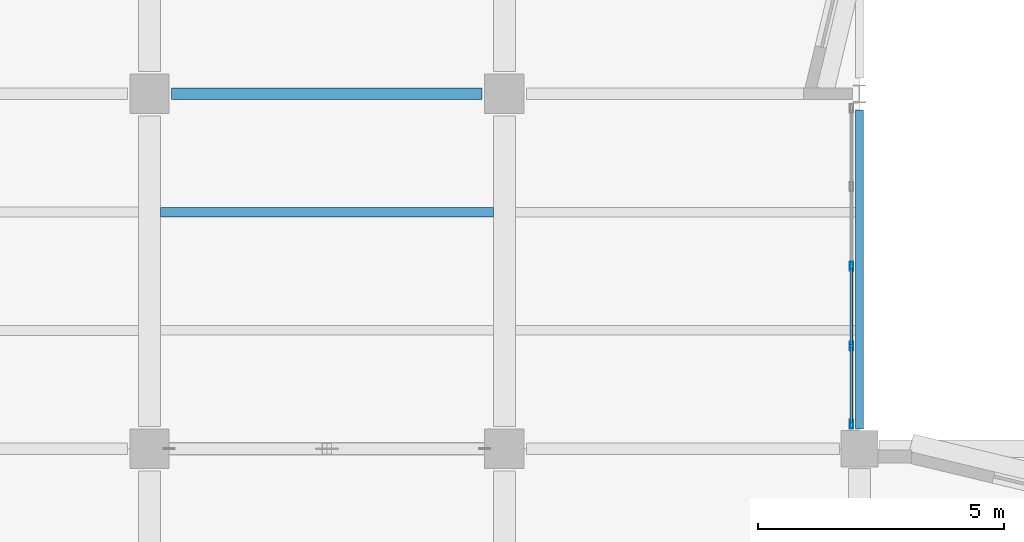
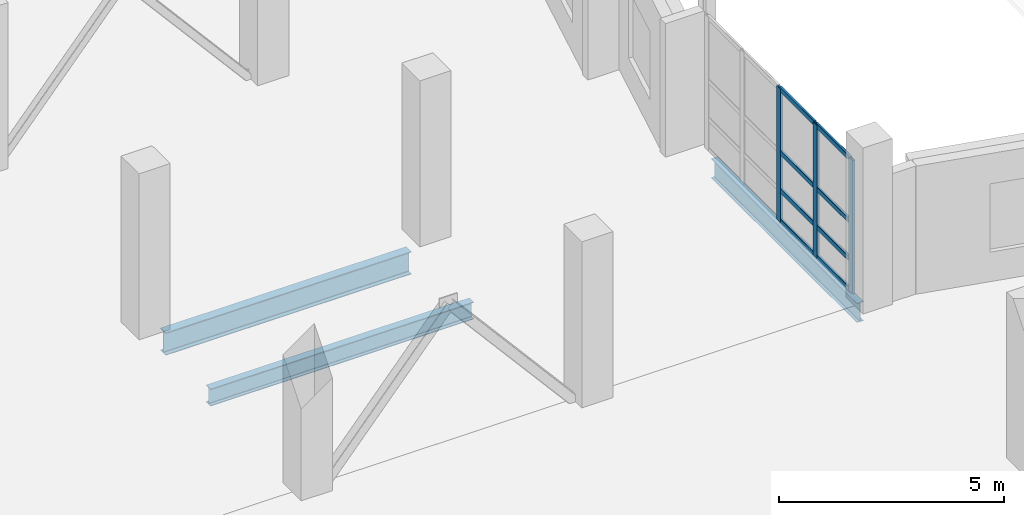
# One storey, part 28 of 123: 11 members, 3 beams, 1 element without a shape of its own.
"""IFC4 building model written with IfcOpenShell, lengths in metres."""

import ifcopenshell
import ifcopenshell.guid

model = None  # the IFC model being written
_history = None  # IfcOwnerHistory: only IFC2X3 demands one
_inside = {}  # id of a spatial element -> (the spatial element, [elements in it])
_under = {}  # id of a project, library or spatial element -> (it, [spatial elements below it])
_declared = {}  # id of a project -> (the project, [libraries it declares])
_typed = {}  # id of a type object -> (the type object, [elements of that type])
_made_of = {}  # id of a material, layer set ... -> (it, [elements and type objects made of it])


def new_model(schema):
    """Start an empty IFC model of exactly this schema.

    Asked for "IFC4X3", IfcOpenShell would pick the latest addendum, in which some entities
    have other attributes; the version numbers below select the first issue.
    IFC2X3 requires an IfcOwnerHistory on every rooted entity: one is made here for all.
    """
    global model, _history
    if schema == "IFC4X3":
        model = ifcopenshell.file(schema_version=(4, 3, 0, 0))
    else:
        model = ifcopenshell.file(schema=schema)
    _inside.clear()
    _under.clear()
    _declared.clear()
    _typed.clear()
    _made_of.clear()
    _history = None
    if model.schema == "IFC2X3":
        org = make("IfcOrganization", Name="unknown")
        user = make(
            "IfcPersonAndOrganization",
            ThePerson=make("IfcPerson", FamilyName="unknown"),
            TheOrganization=org,
        )
        app = make(
            "IfcApplication",
            ApplicationDeveloper=org,
            Version="unknown",
            ApplicationFullName="unknown",
            ApplicationIdentifier="unknown",
        )
        _history = make(
            "IfcOwnerHistory",
            OwningUser=user,
            OwningApplication=app,
            ChangeAction="ADDED",
            CreationDate=0,
        )
    return model


def make(cls, **values):
    """One entity of the class cls with the attributes given. An attribute that is None is left unset."""
    return model.create_entity(
        cls, **{name: value for name, value in values.items() if value is not None}
    )


def rooted(cls, **values):
    """An entity with a GlobalId (a new one), such as an element, a storey or a relation."""
    return make(cls, GlobalId=ifcopenshell.guid.new(), OwnerHistory=_history, **values)


def si_unit(unit_type, name, prefix=None):
    """IfcSIUnit, for example si_unit("LENGTHUNIT", "METRE", prefix="MILLI")."""
    return make("IfcSIUnit", UnitType=unit_type, Prefix=prefix, Name=name)


def assignment(units):
    """IfcUnitAssignment: the units of a project."""
    return None if units is None else make("IfcUnitAssignment", Units=units)


def point(xyz):
    """IfcCartesianPoint."""
    return None if xyz is None else make("IfcCartesianPoint", Coordinates=xyz)


def direction(xyz):
    """IfcDirection."""
    return None if xyz is None else make("IfcDirection", DirectionRatios=xyz)


def frame(location, z_axis=None, x_axis=None):
    """IfcAxis2Placement3D, a coordinate frame: its origin and axes. An axis left out is left unset."""
    return make(
        "IfcAxis2Placement3D",
        Location=point(location),
        Axis=direction(z_axis),
        RefDirection=direction(x_axis),
    )


def frame_2d(location, x_axis=None):
    """IfcAxis2Placement2D, a coordinate frame in the plane: its origin and x axis."""
    return make(
        "IfcAxis2Placement2D", Location=point(location), RefDirection=direction(x_axis)
    )


def origin():
    """The frame at (0, 0, 0) with its axes left unset."""
    return frame((0.0, 0.0, 0.0))


def origin_2d():
    """The frame at (0, 0) in the plane with its x axis left unset."""
    return frame_2d((0.0, 0.0))


def place(relative_to, where):
    """IfcLocalPlacement: puts the frame where relative to a parent placement (None: the world)."""
    return make(
        "IfcLocalPlacement", PlacementRelTo=relative_to, RelativePlacement=where
    )


def context(
    kind, dimensions, precision=None, world=None, true_north=None, identifier=None
):
    """IfcGeometricRepresentationContext, for example the 3D "Model" context."""
    return make(
        "IfcGeometricRepresentationContext",
        ContextIdentifier=identifier,
        ContextType=kind,
        CoordinateSpaceDimension=dimensions,
        Precision=precision,
        WorldCoordinateSystem=world,
        TrueNorth=true_north,
    )


def subcontext(parent, identifier, kind, view, scale=None):
    """IfcGeometricRepresentationSubContext, for example "Body" below "Model"."""
    return make(
        "IfcGeometricRepresentationSubContext",
        ContextIdentifier=identifier,
        ContextType=kind,
        ParentContext=parent,
        TargetScale=scale,
        TargetView=view,
    )


def project(units=None, contexts=None):
    """IfcProject with its units and contexts."""
    return rooted(
        "IfcProject",
        Name="project",
        RepresentationContexts=contexts,
        UnitsInContext=assignment(units),
    )


def spatial(cls, under=None, at=None, **own):
    """A site, building, storey or space (cls), placed at a placement, below another one or the project."""
    s = rooted(cls, ObjectPlacement=at, **own)
    if under is not None:
        _under.setdefault(under.id(), (under, []))[1].append(s)
    return s


def profile(cls, at=None, kind="AREA", **sizes):
    """A parametric profile (cls). Its sizes go by their IFC names, for example OverallWidth=200.0."""
    return make(cls, ProfileType=kind, Position=at, **sizes)


def hollow_rectangle(**sizes):
    """IfcRectangleHollowProfileDef."""
    return profile("IfcRectangleHollowProfileDef", **sizes)


def i_section(**sizes):
    """IfcIShapeProfileDef."""
    return profile("IfcIShapeProfileDef", **sizes)


def extrude(swept, where, along, depth):
    """IfcExtrudedAreaSolid: the profile swept, set in the frame where, extruded along a direction by depth."""
    return make(
        "IfcExtrudedAreaSolid",
        SweptArea=swept,
        Position=where,
        ExtrudedDirection=direction(along),
        Depth=depth,
    )


def shape(context_of_items, identifier, shape_type, items):
    """IfcShapeRepresentation: the items that make up one representation, for example the "Body"."""
    return make(
        "IfcShapeRepresentation",
        ContextOfItems=context_of_items,
        RepresentationIdentifier=identifier,
        RepresentationType=shape_type,
        Items=items,
    )


def material(Name=None, Category=None):
    """IfcMaterial."""
    return make("IfcMaterial", Name=Name, Category=Category)


def material_profile(
    of_material, cross_section, Name=None, Category=None, Priority=None
):
    """IfcMaterialProfile: a cross section and its material."""
    return make(
        "IfcMaterialProfile",
        Name=Name,
        Material=of_material,
        Profile=cross_section,
        Priority=Priority,
        Category=Category,
    )


def profile_set(profiles, Name=None, composite=None):
    """IfcMaterialProfileSet."""
    return make(
        "IfcMaterialProfileSet",
        Name=Name,
        MaterialProfiles=profiles,
        CompositeProfile=composite,
    )


def made_of(thing, what):
    """Note that an element or type object is made of a material, layer set ...; save() writes the relation."""
    if what is not None:
        _made_of.setdefault(what.id(), (what, []))[1].append(thing)
    return thing


def type_object(cls, material=None, **own):
    """A type object (cls), such as IfcWallType, which elements share."""
    return made_of(rooted(cls, **own), material)


def element(
    cls,
    number,
    at=None,
    inside=None,
    cuts=None,
    type_object=None,
    material=None,
    context=None,
    identifier="Body",
    shape_type=None,
    held_by="IfcProductDefinitionShape",
    body=None,
    shapes=None,
    **own,
):
    """One element of the class cls, such as IfcWall. Its Tag is "e" and its number.

    at: its placement. inside: the storey or other place that contains it. cuts: it is an
    opening in that element (IfcRelVoidsElement). A single representation is given by context,
    identifier, shape_type and body (its items); several are given by shapes. held_by: the class
    of the entity that holds the representations. save() writes the other relations.
    """
    e = rooted(cls, Tag="e%d" % number, ObjectPlacement=at, **own)
    if body is not None:
        shapes = [shape(context, identifier, shape_type, body)]
    if shapes is not None:
        e.Representation = make(held_by, Representations=shapes)
    if inside is not None:
        _inside.setdefault(inside.id(), (inside, []))[1].append(e)
    if cuts is not None:
        rooted(
            "IfcRelVoidsElement", RelatingBuildingElement=cuts, RelatedOpeningElement=e
        )
    if type_object is not None:
        _typed.setdefault(type_object.id(), (type_object, []))[1].append(e)
    return made_of(e, material)


def aggregate(whole, parts):
    """IfcRelAggregates: a whole, such as a stair, and the parts it consists of."""
    return rooted("IfcRelAggregates", RelatingObject=whole, RelatedObjects=parts)


def save(model, path):
    """Write the relations noted so far, then the file.

    IfcRelAggregates (storeys below a building ...), IfcRelContainedInSpatialStructure (elements
    in a storey), IfcRelDefinesByType, IfcRelAssociatesMaterial and IfcRelDeclares: one each for
    every whole, place, type object, material and project.
    """
    for whole, parts in _under.values():
        aggregate(whole, parts)
    for where, things in _inside.values():
        rooted(
            "IfcRelContainedInSpatialStructure",
            RelatedElements=things,
            RelatingStructure=where,
        )
    for kind, things in _typed.values():
        rooted("IfcRelDefinesByType", RelatedObjects=things, RelatingType=kind)
    for what, things in _made_of.values():
        rooted("IfcRelAssociatesMaterial", RelatedObjects=things, RelatingMaterial=what)
    for by, libraries in _declared.values():
        rooted("IfcRelDeclares", RelatingContext=by, RelatedDefinitions=libraries)
    model.write(path)


model = new_model("IFC4")

# Units and contexts
model_context = context("Model", 3, precision=1e-05, world=origin(), true_north=direction((0.0, 1.0)))
body_context = subcontext(model_context, "Body", "Model", "MODEL_VIEW")
ifc_project = project(units=[si_unit("LENGTHUNIT", "METRE"), si_unit("AREAUNIT", "SQUARE_METRE"), si_unit("VOLUMEUNIT", "CUBIC_METRE"), si_unit("PLANEANGLEUNIT", "RADIAN"), si_unit("MASSUNIT", "GRAM", prefix="KILO")], contexts=[model_context])

# Site, building, storey
site_placement = place(None, origin())
site = spatial("IfcSite", under=ifc_project, at=site_placement, CompositionType="ELEMENT")
building_placement = place(site_placement, origin())
building = spatial("IfcBuilding", under=site, at=building_placement, Name="Kalmorath City Hall", CompositionType="ELEMENT")
storey_placement = place(building_placement, frame((0.0, 0.0, 10.199951171875)))
storey = spatial("IfcBuildingStorey", under=building, at=storey_placement, Name="L02", CompositionType="ELEMENT", Elevation=10.199951171875)

# Curtain wall, members
ifc_material_1 = material(Name="Anodised aluminium and laminated glass", Category="aluminium")
curtain_wall_type = type_object("IfcCurtainWallType", Name="Unitised hurricane curtain wall 6468x3618 M1450", PredefinedType="NOTDEFINED", material=ifc_material_1)
curtain_wall_placement = place(storey_placement, origin())
curtain_wall = element("IfcCurtainWall", 1, at=curtain_wall_placement, inside=storey, type_object=curtain_wall_type, Name="L02 curtain wall CW-65X36M14 #142", PredefinedType="NOTDEFINED")
ifc_material_2 = material(Name="Anodised aluminium framing", Category="aluminium")
ifc_material_profile_1 = material_profile(ifc_material_2, hollow_rectangle(XDim=0.06494140625, YDim=0.179931640625, WallThickness=0.00390625, InnerFilletRadius=0.00390625, OuterFilletRadius=0.008056640625, at=origin_2d()), Name="ALU-MUL-180X65X4")
ifc_profile_set_1 = profile_set([ifc_material_profile_1], Name="Anodised aluminium framing")
member_type_1 = type_object("IfcMemberType", Name="Curtain-wall courtyard mullion 180x65", PredefinedType="MULLION", material=ifc_profile_set_1)
member_1_placement = place(storey_placement, frame((28.639892578125, 39.69921875, 0.0), z_axis=(0.0, 0.0, 1.0), x_axis=(1.0, 0.0, 0.0)))
member_1 = element("IfcMember", 2, at=member_1_placement, type_object=member_type_1, Name="CW-65X36M14 mullion 3", PredefinedType="MULLION", context=body_context, shape_type="SweptSolid", body=[
    extrude(hollow_rectangle(XDim=0.06494140625, YDim=0.179931640625, WallThickness=0.00390625, InnerFilletRadius=0.00390625, OuterFilletRadius=0.008056640625, at=origin_2d()), origin(), (0.0, 0.0, 1.0), 3.6181640625),
])
member_2_placement = place(storey_placement, frame((28.639892578125, 38.08203125, 0.0), z_axis=(0.0, 0.0, 1.0), x_axis=(1.0, 0.0, 0.0)))
member_2 = element("IfcMember", 3, at=member_2_placement, type_object=member_type_1, Name="CW-65X36M14 mullion 4", PredefinedType="MULLION", context=body_context, shape_type="SweptSolid", body=[
    extrude(hollow_rectangle(XDim=0.06494140625, YDim=0.179931640625, WallThickness=0.00390625, InnerFilletRadius=0.00390625, OuterFilletRadius=0.008056640625, at=origin_2d()), origin(), (0.0, 0.0, 1.0), 3.6181640625),
])
member_3_placement = place(storey_placement, frame((28.639892578125, 36.49755859375, 0.0), z_axis=(0.0, 0.0, 1.0), x_axis=(1.0, 0.0, 0.0)))
member_3 = element("IfcMember", 4, at=member_3_placement, type_object=member_type_1, Name="CW-65X36M14 mullion 5", PredefinedType="MULLION", context=body_context, shape_type="SweptSolid", body=[
    extrude(hollow_rectangle(XDim=0.06494140625, YDim=0.179931640625, WallThickness=0.00390625, InnerFilletRadius=0.00390625, OuterFilletRadius=0.008056640625, at=origin_2d()), origin(), (0.0, 0.0, 1.0), 3.6181640625),
])
ifc_material_3 = material(Name="Anodised aluminium framing", Category="aluminium")
ifc_material_profile_2 = material_profile(ifc_material_3, hollow_rectangle(XDim=0.06005859375, YDim=0.1298828125, WallThickness=0.00341796875, InnerFilletRadius=0.00341796875, OuterFilletRadius=0.007080078125, at=origin_2d()), Name="ALU-TRN-130X60X3.5")
ifc_profile_set_2 = profile_set([ifc_material_profile_2], Name="Anodised aluminium framing")
member_type_2 = type_object("IfcMemberType", Name="Curtain-wall courtyard transom 130x60", PredefinedType="USERDEFINED", material=ifc_profile_set_2)
member_4_placement = place(storey_placement, frame((28.639892578125, 39.666748046875, 0.030029296875), z_axis=(0.0, -1.0, 0.0), x_axis=(1.0, 0.0, 0.0)))
member_4 = element("IfcMember", 5, at=member_4_placement, type_object=member_type_2, Name="CW-65X36M14 transom 3.1", ObjectType="TRANSOM", PredefinedType="USERDEFINED", context=body_context, shape_type="SweptSolid", body=[
    extrude(hollow_rectangle(XDim=0.06005859375, YDim=0.1298828125, WallThickness=0.00341796875, InnerFilletRadius=0.00341796875, OuterFilletRadius=0.007080078125, at=origin_2d()), origin(), (0.0, 0.0, 1.0), 1.552001953125),
])
member_5_placement = place(storey_placement, frame((28.639892578125, 39.666748046875, 0.85009765625), z_axis=(0.0, -1.0, 0.0), x_axis=(1.0, 0.0, 0.0)))
member_5 = element("IfcMember", 6, at=member_5_placement, type_object=member_type_2, Name="CW-65X36M14 transom 3.2", ObjectType="TRANSOM", PredefinedType="USERDEFINED", context=body_context, shape_type="SweptSolid", body=[
    extrude(hollow_rectangle(XDim=0.06005859375, YDim=0.1298828125, WallThickness=0.00341796875, InnerFilletRadius=0.00341796875, OuterFilletRadius=0.007080078125, at=origin_2d()), origin(), (0.0, 0.0, 1.0), 1.552001953125),
])
member_6_placement = place(storey_placement, frame((28.639892578125, 39.666748046875, 1.881103515625), z_axis=(0.0, -1.0, 0.0), x_axis=(1.0, 0.0, 0.0)))
member_6 = element("IfcMember", 7, at=member_6_placement, type_object=member_type_2, Name="CW-65X36M14 transom 3.3", ObjectType="TRANSOM", PredefinedType="USERDEFINED", context=body_context, shape_type="SweptSolid", body=[
    extrude(hollow_rectangle(XDim=0.06005859375, YDim=0.1298828125, WallThickness=0.00341796875, InnerFilletRadius=0.00341796875, OuterFilletRadius=0.007080078125, at=origin_2d()), origin(), (0.0, 0.0, 1.0), 1.552001953125),
])
member_7_placement = place(storey_placement, frame((28.639892578125, 39.666748046875, 3.588134765625), z_axis=(0.0, -1.0, 0.0), x_axis=(1.0, 0.0, 0.0)))
member_7 = element("IfcMember", 8, at=member_7_placement, type_object=member_type_2, Name="CW-65X36M14 transom 3.4", ObjectType="TRANSOM", PredefinedType="USERDEFINED", context=body_context, shape_type="SweptSolid", body=[
    extrude(hollow_rectangle(XDim=0.06005859375, YDim=0.1298828125, WallThickness=0.00341796875, InnerFilletRadius=0.00341796875, OuterFilletRadius=0.007080078125, at=origin_2d()), origin(), (0.0, 0.0, 1.0), 1.552001953125),
])
member_8_placement = place(storey_placement, frame((28.639892578125, 38.049560546875, 0.030029296875), z_axis=(0.0, -1.0, 0.0), x_axis=(1.0, 0.0, 0.0)))
member_8 = element("IfcMember", 9, at=member_8_placement, type_object=member_type_2, Name="CW-65X36M14 transom 4.1", ObjectType="TRANSOM", PredefinedType="USERDEFINED", context=body_context, shape_type="SweptSolid", body=[
    extrude(hollow_rectangle(XDim=0.06005859375, YDim=0.1298828125, WallThickness=0.00341796875, InnerFilletRadius=0.00341796875, OuterFilletRadius=0.007080078125, at=origin_2d()), origin(), (0.0, 0.0, 1.0), 1.51953125),
])
member_9_placement = place(storey_placement, frame((28.639892578125, 38.049560546875, 0.85009765625), z_axis=(0.0, -1.0, 0.0), x_axis=(1.0, 0.0, 0.0)))
member_9 = element("IfcMember", 10, at=member_9_placement, type_object=member_type_2, Name="CW-65X36M14 transom 4.2", ObjectType="TRANSOM", PredefinedType="USERDEFINED", context=body_context, shape_type="SweptSolid", body=[
    extrude(hollow_rectangle(XDim=0.06005859375, YDim=0.1298828125, WallThickness=0.00341796875, InnerFilletRadius=0.00341796875, OuterFilletRadius=0.007080078125, at=origin_2d()), origin(), (0.0, 0.0, 1.0), 1.51953125),
])
member_10_placement = place(storey_placement, frame((28.639892578125, 38.049560546875, 1.881103515625), z_axis=(0.0, -1.0, 0.0), x_axis=(1.0, 0.0, 0.0)))
member_10 = element("IfcMember", 11, at=member_10_placement, type_object=member_type_2, Name="CW-65X36M14 transom 4.3", ObjectType="TRANSOM", PredefinedType="USERDEFINED", context=body_context, shape_type="SweptSolid", body=[
    extrude(hollow_rectangle(XDim=0.06005859375, YDim=0.1298828125, WallThickness=0.00341796875, InnerFilletRadius=0.00341796875, OuterFilletRadius=0.007080078125, at=origin_2d()), origin(), (0.0, 0.0, 1.0), 1.51953125),
])
member_11_placement = place(storey_placement, frame((28.639892578125, 38.049560546875, 3.588134765625), z_axis=(0.0, -1.0, 0.0), x_axis=(1.0, 0.0, 0.0)))
member_11 = element("IfcMember", 12, at=member_11_placement, type_object=member_type_2, Name="CW-65X36M14 transom 4.4", ObjectType="TRANSOM", PredefinedType="USERDEFINED", context=body_context, shape_type="SweptSolid", body=[
    extrude(hollow_rectangle(XDim=0.06005859375, YDim=0.1298828125, WallThickness=0.00341796875, InnerFilletRadius=0.00341796875, OuterFilletRadius=0.007080078125, at=origin_2d()), origin(), (0.0, 0.0, 1.0), 1.51953125),
])
aggregate(curtain_wall, [member_1, member_2, member_3, member_4, member_5, member_6, member_7, member_8, member_9, member_10, member_11])

# Beams
ifc_material_4 = material(Name="Steel ASTM A992 Grade 50", Category="steel")
ifc_material_profile_3 = material_profile(ifc_material_4, i_section(OverallWidth=0.193115234375, OverallDepth=0.466064453125, WebThickness=0.011474609375, FlangeThickness=0.01904296875, FilletRadius=0.013916015625, at=origin_2d()), Name="W18X65")
ifc_profile_set_3 = profile_set([ifc_material_profile_3], Name="Steel ASTM A992 Grade 50")
beam_type_1 = type_object("IfcBeamType", Name="Steel composite joist W18X65", PredefinedType="JOIST", material=ifc_profile_set_3)
beam_1_placement = place(storey_placement, frame((14.625, 40.800048828125, -0.516845703125), z_axis=(1.0, 0.0, 0.0), x_axis=(0.0, 1.0, 0.0)))
element("IfcBeam", 13, at=beam_1_placement, inside=storey, type_object=beam_type_1, Name="L02 joist SJ1 3.6.2", PredefinedType="JOIST", context=body_context, shape_type="SweptSolid", body=[
    extrude(i_section(OverallWidth=0.193115234375, OverallDepth=0.466064453125, WebThickness=0.011474609375, FlangeThickness=0.01904296875, FilletRadius=0.013916015625, at=origin_2d()), origin(), (0.0, 0.0, 1.0), 6.75),
])
ifc_material_5 = material(Name="Steel ASTM A992 Grade 50", Category="steel")
ifc_material_profile_4 = material_profile(ifc_material_5, i_section(OverallWidth=0.22900390625, OverallDepth=0.612060546875, WebThickness=0.011962890625, FlangeThickness=0.01953125, FilletRadius=0.01611328125, at=origin_2d()), Name="W24X84")
ifc_profile_set_4 = profile_set([ifc_material_profile_4], Name="Steel ASTM A992 Grade 50")
beam_type_2 = type_object("IfcBeamType", Name="Steel floor girder W24X84", PredefinedType="BEAM", material=ifc_profile_set_4)
beam_2_placement = place(storey_placement, frame((14.85009765625, 43.199951171875, -0.58984375), z_axis=(1.0, 0.0, 0.0), x_axis=(0.0, 1.0, 0.0)))
element("IfcBeam", 14, at=beam_2_placement, inside=storey, type_object=beam_type_2, Name="L02 girder SG8 X3-4/7", PredefinedType="BEAM", context=body_context, shape_type="SweptSolid", body=[
    extrude(i_section(OverallWidth=0.22900390625, OverallDepth=0.612060546875, WebThickness=0.011962890625, FlangeThickness=0.01953125, FilletRadius=0.01611328125, at=origin_2d()), origin(), (0.0, 0.0, 1.0), 6.2998046875),
])
ifc_material_6 = material(Name="Steel ASTM A992 Grade 50", Category="steel")
ifc_material_profile_5 = material_profile(ifc_material_6, i_section(OverallWidth=0.1650390625, OverallDepth=0.52490234375, WebThickness=0.0087890625, FlangeThickness=0.011474609375, FilletRadius=0.014892578125, at=origin_2d()), Name="W21X44")
ifc_profile_set_5 = profile_set([ifc_material_profile_5], Name="Steel ASTM A992 Grade 50")
beam_type_3 = type_object("IfcBeamType", Name="Steel spandrel beam W21X44", PredefinedType="SPANDREL", material=ifc_profile_set_5)
beam_3_placement = place(storey_placement, frame((28.800048828125, 36.39990234375, -0.54638671875), z_axis=(0.0, 1.0, 0.0), x_axis=(-1.0, 0.0, 0.0)))
element("IfcBeam", 15, at=beam_3_placement, inside=storey, type_object=beam_type_3, Name="L02 girder SB4 Y5/6-7", PredefinedType="SPANDREL", context=body_context, shape_type="SweptSolid", body=[
    extrude(i_section(OverallWidth=0.1650390625, OverallDepth=0.52490234375, WebThickness=0.0087890625, FlangeThickness=0.011474609375, FilletRadius=0.014892578125, at=origin_2d()), origin(), (0.0, 0.0, 1.0), 6.47509765625),
])

save(model, "model.ifc")
